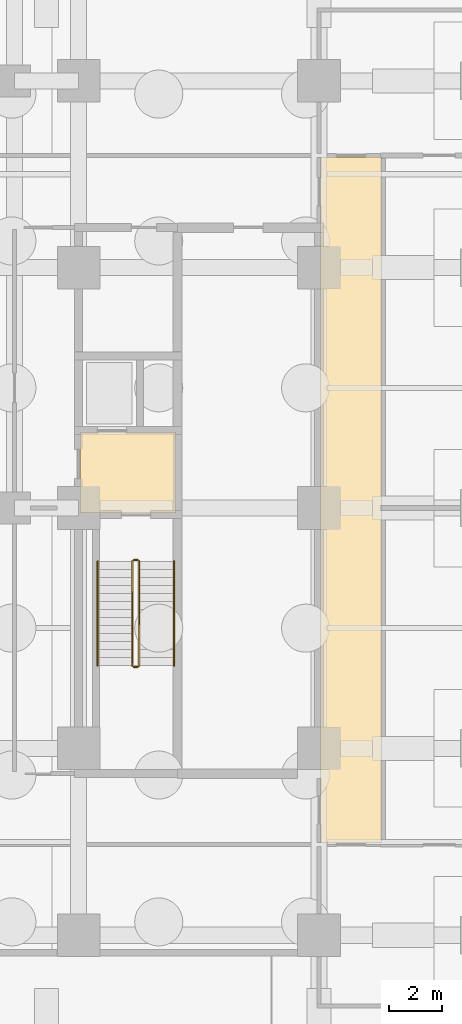
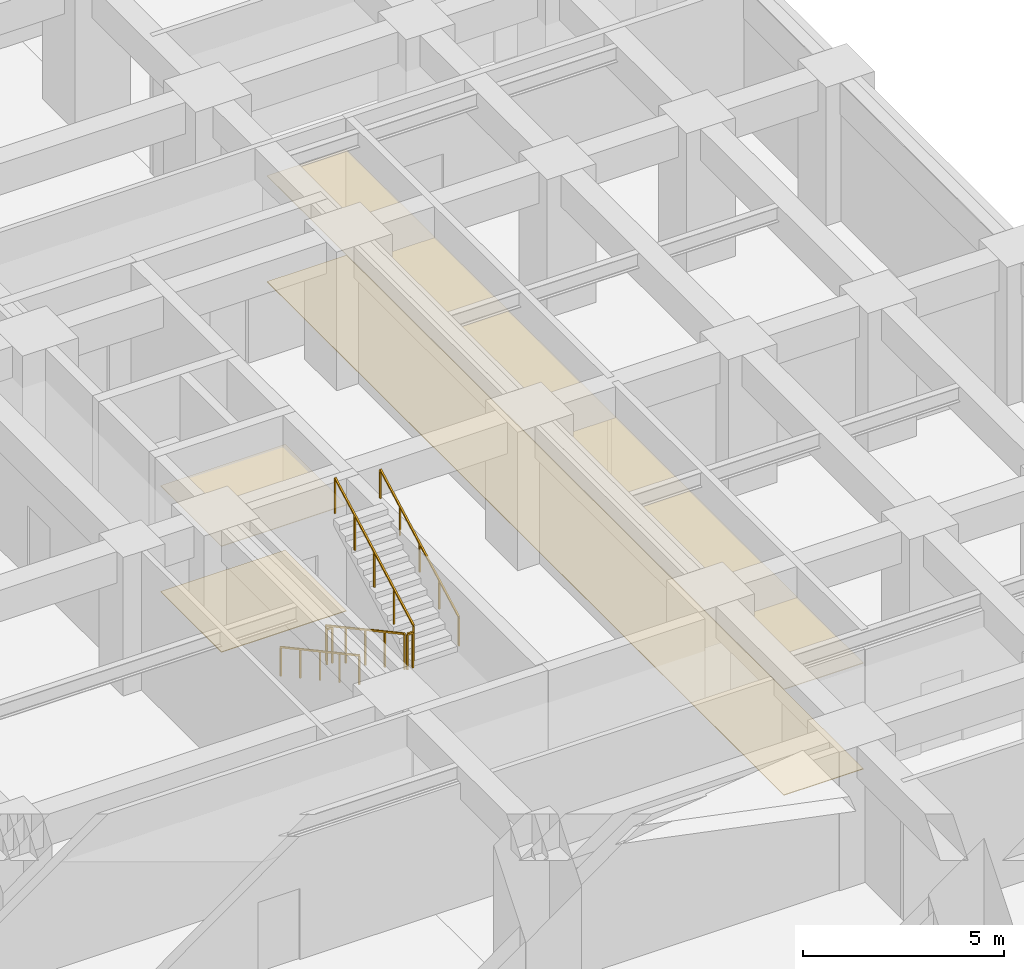
# One storey, part 12 of 16: 6 railings, 4 coverings.
"""IFC4 building model written with IfcOpenShell, lengths in metres."""

import ifcopenshell
import ifcopenshell.guid

model = None  # the IFC model being written
_history = None  # IfcOwnerHistory: only IFC2X3 demands one
_inside = {}  # id of a spatial element -> (the spatial element, [elements in it])
_under = {}  # id of a project, library or spatial element -> (it, [spatial elements below it])
_declared = {}  # id of a project -> (the project, [libraries it declares])
_typed = {}  # id of a type object -> (the type object, [elements of that type])
_made_of = {}  # id of a material, layer set ... -> (it, [elements and type objects made of it])


def new_model(schema):
    """Start an empty IFC model of exactly this schema.

    Asked for "IFC4X3", IfcOpenShell would pick the latest addendum, in which some entities
    have other attributes; the version numbers below select the first issue.
    IFC2X3 requires an IfcOwnerHistory on every rooted entity: one is made here for all.
    """
    global model, _history
    if schema == "IFC4X3":
        model = ifcopenshell.file(schema_version=(4, 3, 0, 0))
    else:
        model = ifcopenshell.file(schema=schema)
    _inside.clear()
    _under.clear()
    _declared.clear()
    _typed.clear()
    _made_of.clear()
    _history = None
    if model.schema == "IFC2X3":
        org = make("IfcOrganization", Name="unknown")
        user = make(
            "IfcPersonAndOrganization",
            ThePerson=make("IfcPerson", FamilyName="unknown"),
            TheOrganization=org,
        )
        app = make(
            "IfcApplication",
            ApplicationDeveloper=org,
            Version="unknown",
            ApplicationFullName="unknown",
            ApplicationIdentifier="unknown",
        )
        _history = make(
            "IfcOwnerHistory",
            OwningUser=user,
            OwningApplication=app,
            ChangeAction="ADDED",
            CreationDate=0,
        )
    return model


def make(cls, **values):
    """One entity of the class cls with the attributes given. An attribute that is None is left unset."""
    return model.create_entity(
        cls, **{name: value for name, value in values.items() if value is not None}
    )


def rooted(cls, **values):
    """An entity with a GlobalId (a new one), such as an element, a storey or a relation."""
    return make(cls, GlobalId=ifcopenshell.guid.new(), OwnerHistory=_history, **values)


def si_unit(unit_type, name, prefix=None):
    """IfcSIUnit, for example si_unit("LENGTHUNIT", "METRE", prefix="MILLI")."""
    return make("IfcSIUnit", UnitType=unit_type, Prefix=prefix, Name=name)


def assignment(units):
    """IfcUnitAssignment: the units of a project."""
    return None if units is None else make("IfcUnitAssignment", Units=units)


def point(xyz):
    """IfcCartesianPoint."""
    return None if xyz is None else make("IfcCartesianPoint", Coordinates=xyz)


def direction(xyz):
    """IfcDirection."""
    return None if xyz is None else make("IfcDirection", DirectionRatios=xyz)


def frame(location, z_axis=None, x_axis=None):
    """IfcAxis2Placement3D, a coordinate frame: its origin and axes. An axis left out is left unset."""
    return make(
        "IfcAxis2Placement3D",
        Location=point(location),
        Axis=direction(z_axis),
        RefDirection=direction(x_axis),
    )


def frame_2d(location, x_axis=None):
    """IfcAxis2Placement2D, a coordinate frame in the plane: its origin and x axis."""
    return make(
        "IfcAxis2Placement2D", Location=point(location), RefDirection=direction(x_axis)
    )


def origin():
    """The frame at (0, 0, 0) with its axes left unset."""
    return frame((0.0, 0.0, 0.0))


def origin_2d():
    """The frame at (0, 0) in the plane with its x axis left unset."""
    return frame_2d((0.0, 0.0))


def place(relative_to, where):
    """IfcLocalPlacement: puts the frame where relative to a parent placement (None: the world)."""
    return make(
        "IfcLocalPlacement", PlacementRelTo=relative_to, RelativePlacement=where
    )


def context(
    kind, dimensions, precision=None, world=None, true_north=None, identifier=None
):
    """IfcGeometricRepresentationContext, for example the 3D "Model" context."""
    return make(
        "IfcGeometricRepresentationContext",
        ContextIdentifier=identifier,
        ContextType=kind,
        CoordinateSpaceDimension=dimensions,
        Precision=precision,
        WorldCoordinateSystem=world,
        TrueNorth=true_north,
    )


def subcontext(parent, identifier, kind, view, scale=None):
    """IfcGeometricRepresentationSubContext, for example "Body" below "Model"."""
    return make(
        "IfcGeometricRepresentationSubContext",
        ContextIdentifier=identifier,
        ContextType=kind,
        ParentContext=parent,
        TargetScale=scale,
        TargetView=view,
    )


def project(units=None, contexts=None):
    """IfcProject with its units and contexts."""
    return rooted(
        "IfcProject",
        Name="project",
        RepresentationContexts=contexts,
        UnitsInContext=assignment(units),
    )


def spatial(cls, under=None, at=None, **own):
    """A site, building, storey or space (cls), placed at a placement, below another one or the project."""
    s = rooted(cls, ObjectPlacement=at, **own)
    if under is not None:
        _under.setdefault(under.id(), (under, []))[1].append(s)
    return s


def polyline(points):
    """IfcPolyline through the points."""
    return make("IfcPolyline", Points=[point(p) for p in points])


def profile(cls, at=None, kind="AREA", **sizes):
    """A parametric profile (cls). Its sizes go by their IFC names, for example OverallWidth=200.0."""
    return make(cls, ProfileType=kind, Position=at, **sizes)


def rectangle(**sizes):
    """IfcRectangleProfileDef."""
    return profile("IfcRectangleProfileDef", **sizes)


def outline(outer, holes=None, kind="AREA"):
    """IfcArbitraryClosedProfileDef: a profile drawn as a closed curve; with holes, ...WithVoids."""
    if holes is None:
        return make("IfcArbitraryClosedProfileDef", ProfileType=kind, OuterCurve=outer)
    return make(
        "IfcArbitraryProfileDefWithVoids",
        ProfileType=kind,
        OuterCurve=outer,
        InnerCurves=holes,
    )


def extrude(swept, where, along, depth):
    """IfcExtrudedAreaSolid: the profile swept, set in the frame where, extruded along a direction by depth."""
    return make(
        "IfcExtrudedAreaSolid",
        SweptArea=swept,
        Position=where,
        ExtrudedDirection=direction(along),
        Depth=depth,
    )


def shape(context_of_items, identifier, shape_type, items):
    """IfcShapeRepresentation: the items that make up one representation, for example the "Body"."""
    return make(
        "IfcShapeRepresentation",
        ContextOfItems=context_of_items,
        RepresentationIdentifier=identifier,
        RepresentationType=shape_type,
        Items=items,
    )


def material(Name=None, Category=None):
    """IfcMaterial."""
    return make("IfcMaterial", Name=Name, Category=Category)


def layer(
    of_material, thickness, ventilated=None, Name=None, Category=None, Priority=None
):
    """IfcMaterialLayer: one layer of a wall or slab, of a material (None: an air gap)."""
    return make(
        "IfcMaterialLayer",
        Material=of_material,
        LayerThickness=thickness,
        IsVentilated=ventilated,
        Name=Name,
        Category=Category,
        Priority=Priority,
    )


def layer_set(layers, Name=None):
    """IfcMaterialLayerSet."""
    return make("IfcMaterialLayerSet", MaterialLayers=layers, LayerSetName=Name)


def made_of(thing, what):
    """Note that an element or type object is made of a material, layer set ...; save() writes the relation."""
    if what is not None:
        _made_of.setdefault(what.id(), (what, []))[1].append(thing)
    return thing


def type_object(cls, material=None, **own):
    """A type object (cls), such as IfcWallType, which elements share."""
    return made_of(rooted(cls, **own), material)


def element(
    cls,
    number,
    at=None,
    inside=None,
    cuts=None,
    type_object=None,
    material=None,
    context=None,
    identifier="Body",
    shape_type=None,
    held_by="IfcProductDefinitionShape",
    body=None,
    shapes=None,
    **own,
):
    """One element of the class cls, such as IfcWall. Its Tag is "e" and its number.

    at: its placement. inside: the storey or other place that contains it. cuts: it is an
    opening in that element (IfcRelVoidsElement). A single representation is given by context,
    identifier, shape_type and body (its items); several are given by shapes. held_by: the class
    of the entity that holds the representations. save() writes the other relations.
    """
    e = rooted(cls, Tag="e%d" % number, ObjectPlacement=at, **own)
    if body is not None:
        shapes = [shape(context, identifier, shape_type, body)]
    if shapes is not None:
        e.Representation = make(held_by, Representations=shapes)
    if inside is not None:
        _inside.setdefault(inside.id(), (inside, []))[1].append(e)
    if cuts is not None:
        rooted(
            "IfcRelVoidsElement", RelatingBuildingElement=cuts, RelatedOpeningElement=e
        )
    if type_object is not None:
        _typed.setdefault(type_object.id(), (type_object, []))[1].append(e)
    return made_of(e, material)


def aggregate(whole, parts):
    """IfcRelAggregates: a whole, such as a stair, and the parts it consists of."""
    return rooted("IfcRelAggregates", RelatingObject=whole, RelatedObjects=parts)


def save(model, path):
    """Write the relations noted so far, then the file.

    IfcRelAggregates (storeys below a building ...), IfcRelContainedInSpatialStructure (elements
    in a storey), IfcRelDefinesByType, IfcRelAssociatesMaterial and IfcRelDeclares: one each for
    every whole, place, type object, material and project.
    """
    for whole, parts in _under.values():
        aggregate(whole, parts)
    for where, things in _inside.values():
        rooted(
            "IfcRelContainedInSpatialStructure",
            RelatedElements=things,
            RelatingStructure=where,
        )
    for kind, things in _typed.values():
        rooted("IfcRelDefinesByType", RelatedObjects=things, RelatingType=kind)
    for what, things in _made_of.values():
        rooted("IfcRelAssociatesMaterial", RelatedObjects=things, RelatingMaterial=what)
    for by, libraries in _declared.values():
        rooted("IfcRelDeclares", RelatingContext=by, RelatedDefinitions=libraries)
    model.write(path)


model = new_model("IFC4")

# Units and contexts
model_context = context("Model", 3, precision=1e-05, world=origin(), true_north=direction((0.0, 1.0)))
body_context = subcontext(model_context, "Body", "Model", "MODEL_VIEW")
ifc_project = project(units=[si_unit("LENGTHUNIT", "METRE"), si_unit("AREAUNIT", "SQUARE_METRE"), si_unit("VOLUMEUNIT", "CUBIC_METRE"), si_unit("PLANEANGLEUNIT", "RADIAN"), si_unit("MASSUNIT", "GRAM", prefix="KILO")], contexts=[model_context])

# Site, building, storey
site_placement = place(None, origin())
site = spatial("IfcSite", under=ifc_project, at=site_placement, CompositionType="ELEMENT")
building_placement = place(site_placement, origin())
building = spatial("IfcBuilding", under=site, at=building_placement, Name="Zulmaris Gate Convention Tower", CompositionType="ELEMENT")
storey_placement = place(building_placement, frame((0.0, 0.0, -9.10009765625)))
storey = spatial("IfcBuildingStorey", under=building, at=storey_placement, Name="B2", CompositionType="ELEMENT", Elevation=-9.10009765625)

# Coverings
ifc_material_1 = material(Name="Mineral Fibre Acoustic Ceiling Tile")
ifc_layer_1 = layer(ifc_material_1, 0.02001953125, Name="Mineral Fibre Acoustic Ceiling Tile")
ifc_layer_set_1 = layer_set([ifc_layer_1], Name="Mineral Fibre Acoustic Ceiling Tile")
covering_type_1 = type_object("IfcCoveringType", Name="CLG-ACOUSTIC-600", PredefinedType="CEILING", material=ifc_layer_set_1)
covering_1_placement = place(storey_placement, frame((0.0, 0.0, 3.210205078125)))
element("IfcCovering", 1, at=covering_1_placement, inside=storey, type_object=covering_type_1, Name="CLG-B2-R08", PredefinedType="CEILING", context=body_context, shape_type="SweptSolid", body=[
    extrude(outline(polyline([(11.06005859375, -0.18994140625), (14.639892578125, -0.18994140625), (14.639892578125, 2.840087890625), (11.06005859375, 2.840087890625), (11.06005859375, -0.18994140625)])), origin(), (0.0, 0.0, 1.0), 0.019775390625),
])
covering_2_placement = place(storey_placement, frame((0.0, 0.0, 3.210205078125)))
element("IfcCovering", 2, at=covering_2_placement, inside=storey, type_object=covering_type_1, Name="CLG-B2-R36", PredefinedType="CEILING", context=body_context, shape_type="SweptSolid", body=[
    extrude(outline(polyline([(20.06005859375, -12.5400390625), (22.340087890625, -12.5400390625), (22.340087890625, 13.139892578125), (20.06005859375, 13.139892578125), (20.06005859375, -12.5400390625)])), origin(), (0.0, 0.0, 1.0), 0.019775390625),
])
ifc_material_2 = material(Name="Woven Acoustic Wool Carpet Tile")
ifc_layer_2 = layer(ifc_material_2, 0.02001953125, Name="Woven Acoustic Wool Carpet Tile")
ifc_layer_set_2 = layer_set([ifc_layer_2], Name="Woven Acoustic Wool Carpet Tile")
covering_type_2 = type_object("IfcCoveringType", Name="FLR-CARPET-12", PredefinedType="FLOORING", material=ifc_layer_set_2)
covering_3_placement = place(storey_placement, origin())
element("IfcCovering", 3, at=covering_3_placement, inside=storey, type_object=covering_type_2, Name="FLR-B2-R08", PredefinedType="FLOORING", context=body_context, shape_type="SweptSolid", body=[
    extrude(outline(polyline([(11.06005859375, -0.18994140625), (14.639892578125, -0.18994140625), (14.639892578125, 2.840087890625), (11.06005859375, 2.840087890625), (11.06005859375, -0.18994140625)])), origin(), (0.0, 0.0, 1.0), 0.02001953125),
])
covering_4_placement = place(storey_placement, origin())
element("IfcCovering", 4, at=covering_4_placement, inside=storey, type_object=covering_type_2, Name="FLR-B2-R36", PredefinedType="FLOORING", context=body_context, shape_type="SweptSolid", body=[
    extrude(outline(polyline([(20.06005859375, -12.5400390625), (22.340087890625, -12.5400390625), (22.340087890625, 13.139892578125), (20.06005859375, 13.139892578125), (20.06005859375, -12.5400390625)])), origin(), (0.0, 0.0, 1.0), 0.02001953125),
])

# Railings
ifc_material_3 = material(Name="Painted Galvanised Steel", Category="steel")
railing_type_1 = type_object("IfcRailingType", Name="RL-STG-1150", PredefinedType="GUARDRAIL", material=ifc_material_3)
railing_1_placement = place(storey_placement, frame((13.010009765625, -2.0, 0.16259765625)))
element("IfcRailing", 5, at=railing_1_placement, inside=storey, type_object=railing_type_1, Name="B2 ST-2 stair guard 1", PredefinedType="GUARDRAIL", context=body_context, shape_type="SweptSolid", body=[
    extrude(rectangle(XDim=0.048095703125, YDim=0.048095703125, at=origin_2d()), frame((0.0, 0.0, 1.076171875), z_axis=(0.0, -0.879282361261, 0.476300880931), x_axis=(1.0, 0.0, 0.0)), (0.0, 0.0, 1.0), 4.435302734375),
    extrude(rectangle(XDim=0.0419921875, YDim=0.0419921875, at=origin_2d()), origin(), (0.0, 0.0, 1.0), 1.052001953125),
    extrude(rectangle(XDim=0.0419921875, YDim=0.0419921875, at=origin_2d()), frame((0.0, -0.97509765625, 0.528076171875)), (0.0, 0.0, 1.0), 1.052001953125),
    extrude(rectangle(XDim=0.0419921875, YDim=0.0419921875, at=origin_2d()), frame((0.0, -1.949951171875, 1.05615234375)), (0.0, 0.0, 1.0), 1.052001953125),
    extrude(rectangle(XDim=0.0419921875, YDim=0.0419921875, at=origin_2d()), frame((0.0, -2.9248046875, 1.58447265625)), (0.0, 0.0, 1.0), 1.052001953125),
    extrude(rectangle(XDim=0.0419921875, YDim=0.0419921875, at=origin_2d()), frame((0.0, -3.89990234375, 2.112548828125)), (0.0, 0.0, 1.0), 1.052001953125),
])
railing_2_placement = place(storey_placement, frame((13.06005859375, -5.949951171875, 2.275146484375)))
element("IfcRailing", 6, at=railing_2_placement, inside=storey, type_object=railing_type_1, Name="B2 ST-2 stair guard 2", PredefinedType="GUARDRAIL", context=body_context, shape_type="SweptSolid", body=[
    extrude(rectangle(XDim=0.048095703125, YDim=0.048095703125, at=origin_2d()), frame((0.0, 0.0, 1.076171875), z_axis=(1.0, 0.0, 0.0), x_axis=(0.0, 1.0, 0.0)), (0.0, 0.0, 1.0), 0.159912109375),
    extrude(rectangle(XDim=0.0419921875, YDim=0.0419921875, at=origin_2d()), origin(), (0.0, 0.0, 1.0), 1.052001953125),
    extrude(rectangle(XDim=0.0419921875, YDim=0.0419921875, at=origin_2d()), frame((0.159912109375, 0.0, 0.0)), (0.0, 0.0, 1.0), 1.052001953125),
])
railing_3_placement = place(storey_placement, frame((13.27001953125, -5.89990234375, 2.4375)))
element("IfcRailing", 7, at=railing_3_placement, inside=storey, type_object=railing_type_1, Name="B2 ST-2 stair guard 3", PredefinedType="GUARDRAIL", context=body_context, shape_type="SweptSolid", body=[
    extrude(rectangle(XDim=0.048095703125, YDim=0.048095703125, at=origin_2d()), frame((0.0, 0.0, 1.076171875), z_axis=(0.0, 0.879282361261, 0.476300880931), x_axis=(-1.0, 0.0, 0.0)), (0.0, 0.0, 1.0), 4.435302734375),
    extrude(rectangle(XDim=0.0419921875, YDim=0.0419921875, at=origin_2d()), origin(), (0.0, 0.0, 1.0), 1.052001953125),
    extrude(rectangle(XDim=0.0419921875, YDim=0.0419921875, at=origin_2d()), frame((0.0, 0.97509765625, 0.528076171875)), (0.0, 0.0, 1.0), 1.052001953125),
    extrude(rectangle(XDim=0.0419921875, YDim=0.0419921875, at=origin_2d()), frame((0.0, 1.949951171875, 1.05615234375)), (0.0, 0.0, 1.0), 1.052001953125),
    extrude(rectangle(XDim=0.0419921875, YDim=0.0419921875, at=origin_2d()), frame((0.0, 2.9248046875, 1.58447265625)), (0.0, 0.0, 1.0), 1.052001953125),
    extrude(rectangle(XDim=0.0419921875, YDim=0.0419921875, at=origin_2d()), frame((0.0, 3.89990234375, 2.112548828125)), (0.0, 0.0, 1.0), 1.052001953125),
])
railing_4_placement = place(storey_placement, frame((13.06005859375, -1.949951171875, 0.0)))
element("IfcRailing", 8, at=railing_4_placement, inside=storey, type_object=railing_type_1, Name="B2 ST-2 stair guard 4", PredefinedType="GUARDRAIL", context=body_context, shape_type="SweptSolid", body=[
    extrude(rectangle(XDim=0.048095703125, YDim=0.048095703125, at=origin_2d()), frame((0.0, 0.0, 1.076171875), z_axis=(1.0, 0.0, 0.0), x_axis=(0.0, 1.0, 0.0)), (0.0, 0.0, 1.0), 0.159912109375),
    extrude(rectangle(XDim=0.0419921875, YDim=0.0419921875, at=origin_2d()), origin(), (0.0, 0.0, 1.0), 1.052001953125),
    extrude(rectangle(XDim=0.0419921875, YDim=0.0419921875, at=origin_2d()), frame((0.159912109375, 0.0, 0.0)), (0.0, 0.0, 1.0), 1.052001953125),
])
ifc_material_4 = material(Name="Brushed Stainless Steel", Category="steel")
railing_type_2 = type_object("IfcRailingType", Name="RL-STH-900", PredefinedType="HANDRAIL", material=ifc_material_4)
railing_5_placement = place(storey_placement, frame((11.7099609375, -2.0, 0.16259765625)))
element("IfcRailing", 9, at=railing_5_placement, inside=storey, type_object=railing_type_2, Name="B2 ST-2 stair handrail 1", PredefinedType="HANDRAIL", context=body_context, shape_type="SweptSolid", body=[
    extrude(rectangle(XDim=0.048095703125, YDim=0.048095703125, at=origin_2d()), frame((0.0, 0.0, 0.8759765625), z_axis=(0.0, -0.879282361261, 0.476300880931), x_axis=(1.0, 0.0, 0.0)), (0.0, 0.0, 1.0), 4.435302734375),
    extrude(rectangle(XDim=0.0419921875, YDim=0.0419921875, at=origin_2d()), origin(), (0.0, 0.0, 1.0), 0.851806640625),
    extrude(rectangle(XDim=0.0419921875, YDim=0.0419921875, at=origin_2d()), frame((0.0, -0.97509765625, 0.528076171875)), (0.0, 0.0, 1.0), 0.851806640625),
    extrude(rectangle(XDim=0.0419921875, YDim=0.0419921875, at=origin_2d()), frame((0.0, -1.949951171875, 1.05615234375)), (0.0, 0.0, 1.0), 0.851806640625),
    extrude(rectangle(XDim=0.0419921875, YDim=0.0419921875, at=origin_2d()), frame((0.0, -2.9248046875, 1.58447265625)), (0.0, 0.0, 1.0), 0.851806640625),
    extrude(rectangle(XDim=0.0419921875, YDim=0.0419921875, at=origin_2d()), frame((0.0, -3.89990234375, 2.112548828125)), (0.0, 0.0, 1.0), 0.851806640625),
])
railing_6_placement = place(storey_placement, frame((14.570068359375, -5.89990234375, 2.4375)))
element("IfcRailing", 10, at=railing_6_placement, inside=storey, type_object=railing_type_2, Name="B2 ST-2 stair handrail 2", PredefinedType="HANDRAIL", context=body_context, shape_type="SweptSolid", body=[
    extrude(rectangle(XDim=0.048095703125, YDim=0.048095703125, at=origin_2d()), frame((0.0, 0.0, 0.8759765625), z_axis=(0.0, 0.879282361261, 0.476300880931), x_axis=(-1.0, 0.0, 0.0)), (0.0, 0.0, 1.0), 4.435302734375),
    extrude(rectangle(XDim=0.0419921875, YDim=0.0419921875, at=origin_2d()), origin(), (0.0, 0.0, 1.0), 0.851806640625),
    extrude(rectangle(XDim=0.0419921875, YDim=0.0419921875, at=origin_2d()), frame((0.0, 0.97509765625, 0.528076171875)), (0.0, 0.0, 1.0), 0.851806640625),
    extrude(rectangle(XDim=0.0419921875, YDim=0.0419921875, at=origin_2d()), frame((0.0, 1.949951171875, 1.05615234375)), (0.0, 0.0, 1.0), 0.851806640625),
    extrude(rectangle(XDim=0.0419921875, YDim=0.0419921875, at=origin_2d()), frame((0.0, 2.9248046875, 1.58447265625)), (0.0, 0.0, 1.0), 0.851806640625),
    extrude(rectangle(XDim=0.0419921875, YDim=0.0419921875, at=origin_2d()), frame((0.0, 3.89990234375, 2.112548828125)), (0.0, 0.0, 1.0), 0.851806640625),
])

save(model, "model.ifc")
